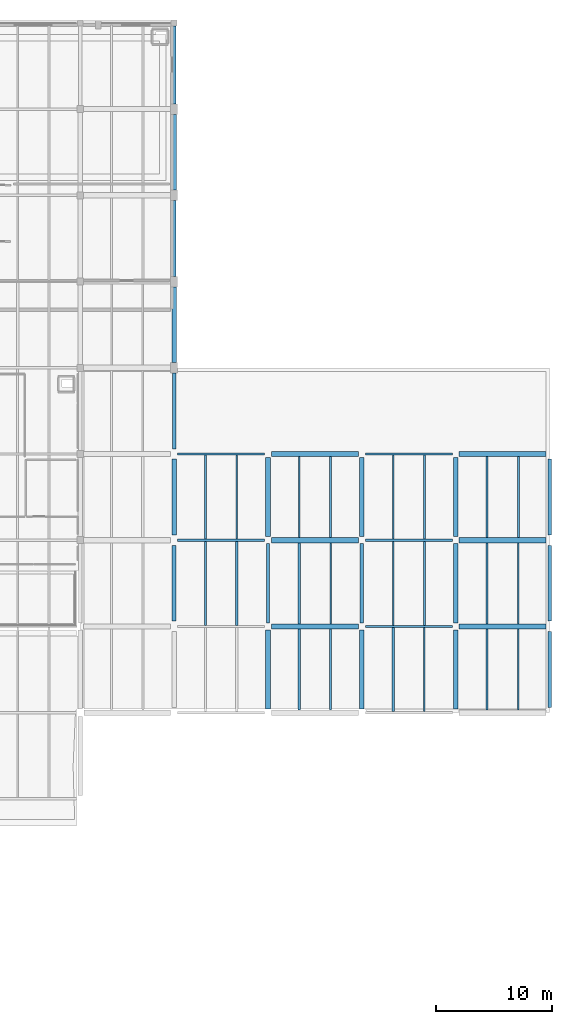
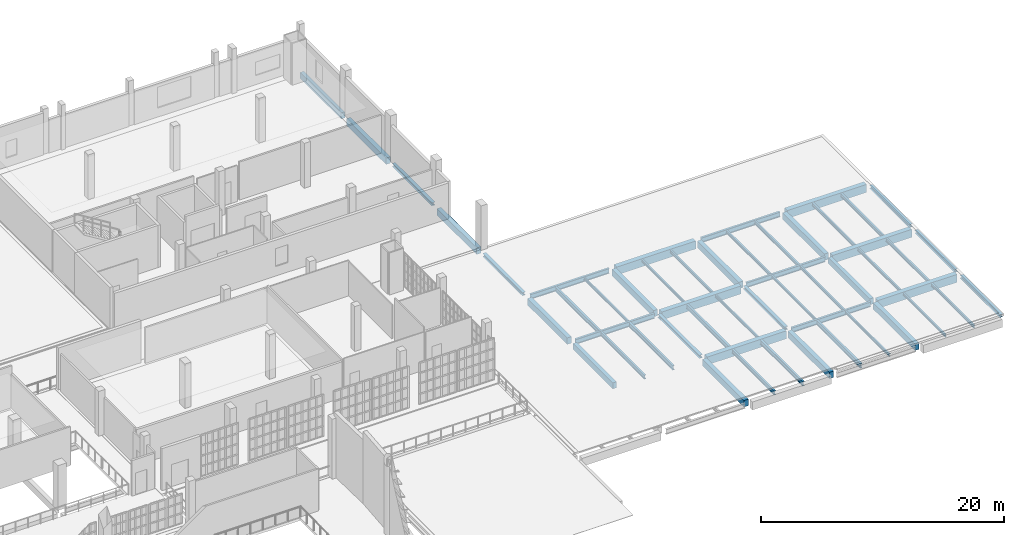
# One storey, part 34 of 73: 52 beams.
"""IFC4 building model written with IfcOpenShell, lengths in metres."""

from ifc_helpers import new_model, si_unit, direction, frame, origin, origin_2d, place, context, subcontext, project, spatial, rectangle, i_section, extrude, material, material_profile, profile_set, type_object, element, save


model = new_model("IFC4")

# Units and contexts
model_context = context("Model", 3, precision=1e-05, world=origin(), true_north=direction((0.0, 1.0)))
body_context = subcontext(model_context, "Body", "Model", "MODEL_VIEW")
ifc_project = project(units=[si_unit("LENGTHUNIT", "METRE"), si_unit("AREAUNIT", "SQUARE_METRE"), si_unit("VOLUMEUNIT", "CUBIC_METRE"), si_unit("PLANEANGLEUNIT", "RADIAN"), si_unit("MASSUNIT", "GRAM", prefix="KILO")], contexts=[model_context])

# Site, building, storey
site_placement = place(None, origin())
site = spatial("IfcSite", under=ifc_project, at=site_placement, CompositionType="ELEMENT")
building_placement = place(site_placement, origin())
building = spatial("IfcBuilding", under=site, at=building_placement, Name="Kaelora Sail Theatre", CompositionType="ELEMENT")
storey_placement = place(building_placement, frame((0.0, 0.0, 10.199951171875)))
storey = spatial("IfcBuildingStorey", under=building, at=storey_placement, Name="L02", CompositionType="ELEMENT", Elevation=10.199951171875)

# Beams
ifc_material_1 = material(Name="Steel S355", Category="steel")
ifc_material_profile_1 = material_profile(ifc_material_1, i_section(OverallWidth=0.300048828125, OverallDepth=0.31005859375, WebThickness=0.009033203125, FlangeThickness=0.015380859375, FilletRadius=0.027099609375, at=origin_2d()), Name="HEA 320")
ifc_profile_set_1 = profile_set([ifc_material_profile_1], Name="Steel S355")
beam_type_1 = type_object("IfcBeamType", Name="STR-BM-BM-HEA320", PredefinedType="BEAM", material=ifc_profile_set_1)
beam_1_placement = place(storey_placement, frame((131.10009765625, 76.35009765625, -0.449951171875), z_axis=(0.0, 1.0, 0.0), x_axis=(-1.0, 0.0, 0.0)))
element("IfcBeam", 1, at=beam_1_placement, inside=storey, type_object=beam_type_1, Name="Primary beam 17 K-L (L02)", PredefinedType="BEAM", context=body_context, shape_type="SweptSolid", body=[
    extrude(i_section(OverallWidth=0.300048828125, OverallDepth=0.31005859375, WebThickness=0.009033203125, FlangeThickness=0.015380859375, FilletRadius=0.027099609375, at=origin_2d()), origin(), (0.0, 0.0, 1.0), 6.539794921875),
])
beam_2_placement = place(storey_placement, frame((131.10009765625, 91.22998046875, -0.449951171875), z_axis=(0.0, 1.0, 0.0), x_axis=(-1.0, 0.0, 0.0)))
element("IfcBeam", 2, at=beam_2_placement, inside=storey, type_object=beam_type_1, Name="Primary beam 17 M-N (L02)", PredefinedType="BEAM", context=body_context, shape_type="SweptSolid", body=[
    extrude(i_section(OverallWidth=0.300048828125, OverallDepth=0.31005859375, WebThickness=0.009033203125, FlangeThickness=0.015380859375, FilletRadius=0.027099609375, at=origin_2d()), origin(), (0.0, 0.0, 1.0), 6.5400390625),
])
for number, where, z_axis, x_axis, name in (
    (3, (139.199951171875, 61.320068359375, -0.449951171875), (0.0, 1.0, 0.0), (-1.0, 0.0, 0.0), "Primary beam 18 I-J (L02)"),
    (4, (147.300048828125, 61.320068359375, -0.449951171875), (0.0, 1.0, 0.0), (-1.0, 0.0, 0.0), "Primary beam 19 I-J (L02)"),
):
    element("IfcBeam", number, at=place(storey_placement, frame(where, z_axis=z_axis, x_axis=x_axis)), inside=storey, type_object=beam_type_1, Name=name, PredefinedType="BEAM", context=body_context, shape_type="SweptSolid", body=[
        extrude(i_section(OverallWidth=0.300048828125, OverallDepth=0.31005859375, WebThickness=0.009033203125, FlangeThickness=0.015380859375, FilletRadius=0.027099609375, at=origin_2d()), origin(), (0.0, 0.0, 1.0), 6.83984375),
    ])
ifc_material_2 = material(Name="Steel S355", Category="steel")
ifc_material_profile_2 = material_profile(ifc_material_2, i_section(OverallWidth=0.18994140625, OverallDepth=0.449951171875, WebThickness=0.009521484375, FlangeThickness=0.0146484375, FilletRadius=0.02099609375, at=origin_2d()), Name="IPE 450")
ifc_profile_set_2 = profile_set([ifc_material_profile_2], Name="Steel S355")
beam_type_2 = type_object("IfcBeamType", Name="STR-BM-BM-IPE450", PredefinedType="BEAM", material=ifc_profile_set_2)
for number, where, z_axis, x_axis, name in (
    (5, (136.5, 61.1201171875, -0.52001953125), (0.0, 1.0, 0.0), (-1.0, 0.0, 0.0), "Secondary floor joist 17/I-2 (L02)"),
    (6, (133.800048828125, 68.56005859375, -0.52001953125), (0.0, 1.0, 0.0), (-1.0, 0.0, 0.0), "Secondary floor joist 17/J-1 (L02)"),
):
    element("IfcBeam", number, at=place(storey_placement, frame(where, z_axis=z_axis, x_axis=x_axis)), inside=storey, type_object=beam_type_2, Name=name, PredefinedType="BEAM", context=body_context, shape_type="SweptSolid", body=[
        extrude(i_section(OverallWidth=0.18994140625, OverallDepth=0.449951171875, WebThickness=0.009521484375, FlangeThickness=0.0146484375, FilletRadius=0.02099609375, at=origin_2d()), origin(), (0.0, 0.0, 1.0), 7.239990234375),
    ])
for number, where, z_axis, x_axis, name in (
    (7, (144.60009765625, 53.804931640625, -0.52001953125), (0.0, 1.0, 0.0), (-1.0, 0.0, 0.0), "Secondary floor joist 18/H-2 (L02)"),
    (8, (141.89990234375, 61.2451171875, -0.52001953125), (0.0, 1.0, 0.0), (-1.0, 0.0, 0.0), "Secondary floor joist 18/I-1 (L02)"),
):
    element("IfcBeam", number, at=place(storey_placement, frame(where, z_axis=z_axis, x_axis=x_axis)), inside=storey, type_object=beam_type_2, Name=name, PredefinedType="BEAM", context=body_context, shape_type="SweptSolid", body=[
        extrude(i_section(OverallWidth=0.18994140625, OverallDepth=0.449951171875, WebThickness=0.009521484375, FlangeThickness=0.0146484375, FilletRadius=0.02099609375, at=origin_2d()), origin(), (0.0, 0.0, 1.0), 6.989990234375),
    ])
beam_3_placement = place(storey_placement, frame((150.0, 53.679931640625, -0.52001953125), z_axis=(0.0, 1.0, 0.0), x_axis=(-1.0, 0.0, 0.0)))
element("IfcBeam", 9, at=beam_3_placement, inside=storey, type_object=beam_type_2, Name="Secondary floor joist 19/H-1 (L02)", PredefinedType="BEAM", context=body_context, shape_type="SweptSolid", body=[
    extrude(i_section(OverallWidth=0.18994140625, OverallDepth=0.449951171875, WebThickness=0.009521484375, FlangeThickness=0.0146484375, FilletRadius=0.02099609375, at=origin_2d()), origin(), (0.0, 0.0, 1.0), 7.239990234375),
])
ifc_material_3 = material(Name="Steel S355", Category="steel")
ifc_material_profile_3 = material_profile(ifc_material_3, i_section(OverallWidth=0.199951171875, OverallDepth=0.5, WebThickness=0.01025390625, FlangeThickness=0.01611328125, FilletRadius=0.02099609375, at=origin_2d()), Name="IPE 500")
ifc_profile_set_3 = profile_set([ifc_material_profile_3], Name="Steel S355")
beam_type_3 = type_object("IfcBeamType", Name="STR-BM-BM-IPE500", PredefinedType="BEAM", material=ifc_profile_set_3)
for number, where, z_axis, x_axis, name in (
    (10, (131.39990234375, 68.4599609375, -0.544921875), (1.0, 0.0, 0.0), (0.0, 1.0, 0.0), "Primary beam J 17-18 (L02)"),
    (11, (131.39990234375, 75.89990234375, -0.544921875), (1.0, 0.0, 0.0), (0.0, 1.0, 0.0), "Primary beam K 17-18 (L02)"),
    (12, (147.60009765625, 61.02001953125, -0.544921875), (1.0, 0.0, 0.0), (0.0, 1.0, 0.0), "Primary beam I 19-20 (L02)"),
    (13, (147.60009765625, 68.4599609375, -0.544921875), (1.0, 0.0, 0.0), (0.0, 1.0, 0.0), "Primary beam J 19-20 (L02)"),
    (14, (147.60009765625, 75.89990234375, -0.544921875), (1.0, 0.0, 0.0), (0.0, 1.0, 0.0), "Primary beam K 19-20 (L02)"),
):
    element("IfcBeam", number, at=place(storey_placement, frame(where, z_axis=z_axis, x_axis=x_axis)), inside=storey, type_object=beam_type_3, Name=name, PredefinedType="BEAM", context=body_context, shape_type="SweptSolid", body=[
        extrude(i_section(OverallWidth=0.199951171875, OverallDepth=0.5, WebThickness=0.01025390625, FlangeThickness=0.01611328125, FilletRadius=0.02099609375, at=origin_2d()), origin(), (0.0, 0.0, 1.0), 7.5),
    ])
ifc_material_4 = material(Name="Concrete C40/50", Category="concrete")
ifc_material_profile_4 = material_profile(ifc_material_4, rectangle(XDim=0.35009765625, YDim=0.60009765625, at=origin_2d()), Name="RC-BM 350x600")
ifc_profile_set_4 = profile_set([ifc_material_profile_4], Name="Concrete C40/50")
beam_type_4 = type_object("IfcBeamType", Name="STR-BM-BM-RC3560", PredefinedType="BEAM", material=ifc_profile_set_4)
beam_4_placement = place(storey_placement, frame((131.10009765625, 61.469970703125, -0.594970703125), z_axis=(0.0, 1.0, 0.0), x_axis=(-1.0, 0.0, 0.0)))
element("IfcBeam", 15, at=beam_4_placement, inside=storey, type_object=beam_type_4, Name="Primary beam 17 I-J (L02)", PredefinedType="BEAM", context=body_context, shape_type="SweptSolid", body=[
    extrude(rectangle(XDim=0.35009765625, YDim=0.60009765625, at=origin_2d()), origin(), (0.0, 0.0, 1.0), 6.5400390625),
])
beam_5_placement = place(storey_placement, frame((131.10009765625, 106.110107421875, -0.594970703125), z_axis=(0.0, 1.0, 0.0), x_axis=(-1.0, 0.0, 0.0)))
element("IfcBeam", 16, at=beam_5_placement, inside=storey, type_object=beam_type_4, Name="Primary beam 17 O-P (L02)", PredefinedType="BEAM", context=body_context, shape_type="SweptSolid", body=[
    extrude(rectangle(XDim=0.35009765625, YDim=0.60009765625, at=origin_2d()), origin(), (0.0, 0.0, 1.0), 6.739990234375),
])
beam_6_placement = place(storey_placement, frame((155.39990234375, 61.320068359375, -0.594970703125), z_axis=(0.0, 1.0, 0.0), x_axis=(-1.0, 0.0, 0.0)))
element("IfcBeam", 17, at=beam_6_placement, inside=storey, type_object=beam_type_4, Name="Primary beam 20 I-J (L02)", PredefinedType="BEAM", context=body_context, shape_type="SweptSolid", body=[
    extrude(rectangle(XDim=0.35009765625, YDim=0.60009765625, at=origin_2d()), origin(), (0.0, 0.0, 1.0), 6.83984375),
])
ifc_material_5 = material(Name="Concrete C40/50", Category="concrete")
ifc_material_profile_5 = material_profile(ifc_material_5, rectangle(XDim=0.39990234375, YDim=0.64990234375, at=origin_2d()), Name="RC-BM 400x650")
ifc_profile_set_5 = profile_set([ifc_material_profile_5], Name="Concrete C40/50")
beam_type_5 = type_object("IfcBeamType", Name="STR-BM-BM-RC4065", PredefinedType="BEAM", material=ifc_profile_set_5)
for number, where, z_axis, x_axis, name in (
    (18, (131.10009765625, 68.909912109375, -0.619873046875), (0.0, 1.0, 0.0), (-1.0, 0.0, 0.0), "Primary beam 17 J-K (L02)"),
    (19, (131.10009765625, 83.7900390625, -0.619873046875), (0.0, 1.0, 0.0), (-1.0, 0.0, 0.0), "Primary beam 17 L-M (L02)"),
    (20, (131.10009765625, 98.669921875, -0.619873046875), (0.0, 1.0, 0.0), (-1.0, 0.0, 0.0), "Primary beam 17 N-O (L02)"),
):
    element("IfcBeam", number, at=place(storey_placement, frame(where, z_axis=z_axis, x_axis=x_axis)), inside=storey, type_object=beam_type_5, Name=name, PredefinedType="BEAM", context=body_context, shape_type="SweptSolid", body=[
        extrude(rectangle(XDim=0.39990234375, YDim=0.64990234375, at=origin_2d()), origin(), (0.0, 0.0, 1.0), 6.5400390625),
    ])
for number, where, z_axis, x_axis, name in (
    (21, (139.199951171875, 53.8798828125, -0.619873046875), (0.0, 1.0, 0.0), (-1.0, 0.0, 0.0), "Primary beam 18 H-I (L02)"),
    (22, (139.199951171875, 68.760009765625, -0.619873046875), (0.0, 1.0, 0.0), (-1.0, 0.0, 0.0), "Primary beam 18 J-K (L02)"),
    (23, (147.300048828125, 53.8798828125, -0.619873046875), (0.0, 1.0, 0.0), (-1.0, 0.0, 0.0), "Primary beam 19 H-I (L02)"),
    (24, (147.300048828125, 68.760009765625, -0.619873046875), (0.0, 1.0, 0.0), (-1.0, 0.0, 0.0), "Primary beam 19 J-K (L02)"),
    (25, (155.39990234375, 53.8798828125, -0.619873046875), (0.0, 1.0, 0.0), (-1.0, 0.0, 0.0), "Primary beam 20 H-I (L02)"),
    (26, (155.39990234375, 68.760009765625, -0.619873046875), (0.0, 1.0, 0.0), (-1.0, 0.0, 0.0), "Primary beam 20 J-K (L02)"),
):
    element("IfcBeam", number, at=place(storey_placement, frame(where, z_axis=z_axis, x_axis=x_axis)), inside=storey, type_object=beam_type_5, Name=name, PredefinedType="BEAM", context=body_context, shape_type="SweptSolid", body=[
        extrude(rectangle(XDim=0.39990234375, YDim=0.64990234375, at=origin_2d()), origin(), (0.0, 0.0, 1.0), 6.840087890625),
    ])
ifc_material_6 = material(Name="Concrete C45/55", Category="concrete")
ifc_material_profile_6 = material_profile(ifc_material_6, rectangle(XDim=0.449951171875, YDim=0.800048828125, at=origin_2d()), Name="RC-BM 450x800")
ifc_profile_set_6 = profile_set([ifc_material_profile_6], Name="Concrete C45/55")
beam_type_6 = type_object("IfcBeamType", Name="STR-BM-BM-RC4580", PredefinedType="BEAM", material=ifc_profile_set_6)
for number, where, z_axis, x_axis, name in (
    (27, (139.5, 61.02001953125, -0.695068359375), (1.0, 0.0, 0.0), (0.0, 1.0, 0.0), "Primary beam I 18-19 (L02)"),
    (28, (139.5, 68.4599609375, -0.695068359375), (1.0, 0.0, 0.0), (0.0, 1.0, 0.0), "Primary beam J 18-19 (L02)"),
    (29, (139.5, 75.89990234375, -0.695068359375), (1.0, 0.0, 0.0), (0.0, 1.0, 0.0), "Primary beam K 18-19 (L02)"),
    (30, (155.699951171875, 61.02001953125, -0.695068359375), (1.0, 0.0, 0.0), (0.0, 1.0, 0.0), "Primary beam I 20-21 (L02)"),
    (31, (155.699951171875, 68.4599609375, -0.695068359375), (1.0, 0.0, 0.0), (0.0, 1.0, 0.0), "Primary beam J 20-21 (L02)"),
    (32, (155.699951171875, 75.89990234375, -0.695068359375), (1.0, 0.0, 0.0), (0.0, 1.0, 0.0), "Primary beam K 20-21 (L02)"),
):
    element("IfcBeam", number, at=place(storey_placement, frame(where, z_axis=z_axis, x_axis=x_axis)), inside=storey, type_object=beam_type_6, Name=name, PredefinedType="BEAM", context=body_context, shape_type="SweptSolid", body=[
        extrude(rectangle(XDim=0.449951171875, YDim=0.800048828125, at=origin_2d()), origin(), (0.0, 0.0, 1.0), 7.5),
    ])
ifc_material_7 = material(Name="Steel S355", Category="steel")
ifc_material_profile_7 = material_profile(ifc_material_7, i_section(OverallWidth=0.135009765625, OverallDepth=0.27001953125, WebThickness=0.006591796875, FlangeThickness=0.01025390625, FilletRadius=0.014892578125, at=origin_2d()), Name="IPE 270")
ifc_profile_set_7 = profile_set([ifc_material_profile_7], Name="Steel S355")
beam_type_7 = type_object("IfcBeamType", Name="STR-BM-JS-IPE270", PredefinedType="JOIST", material=ifc_profile_set_7)
beam_7_placement = place(storey_placement, frame((136.5, 68.56005859375, -0.429931640625), z_axis=(0.0, 1.0, 0.0), x_axis=(-1.0, 0.0, 0.0)))
element("IfcBeam", 33, at=beam_7_placement, inside=storey, type_object=beam_type_7, Name="Secondary floor joist 17/J-2 (L02)", PredefinedType="JOIST", context=body_context, shape_type="SweptSolid", body=[
    extrude(i_section(OverallWidth=0.135009765625, OverallDepth=0.27001953125, WebThickness=0.006591796875, FlangeThickness=0.01025390625, FilletRadius=0.014892578125, at=origin_2d()), origin(), (0.0, 0.0, 1.0), 7.239990234375),
])
for number, where, z_axis, x_axis, name in (
    (34, (144.60009765625, 61.2451171875, -0.429931640625), (0.0, 1.0, 0.0), (-1.0, 0.0, 0.0), "Secondary floor joist 18/I-2 (L02)"),
    (35, (141.89990234375, 68.68505859375, -0.429931640625), (0.0, 1.0, 0.0), (-1.0, 0.0, 0.0), "Secondary floor joist 18/J-1 (L02)"),
):
    element("IfcBeam", number, at=place(storey_placement, frame(where, z_axis=z_axis, x_axis=x_axis)), inside=storey, type_object=beam_type_7, Name=name, PredefinedType="JOIST", context=body_context, shape_type="SweptSolid", body=[
        extrude(i_section(OverallWidth=0.135009765625, OverallDepth=0.27001953125, WebThickness=0.006591796875, FlangeThickness=0.01025390625, FilletRadius=0.014892578125, at=origin_2d()), origin(), (0.0, 0.0, 1.0), 6.989990234375),
    ])
for number, where, z_axis, x_axis, name in (
    (36, (152.699951171875, 53.679931640625, -0.429931640625), (0.0, 1.0, 0.0), (-1.0, 0.0, 0.0), "Secondary floor joist 19/H-2 (L02)"),
    (37, (150.0, 61.1201171875, -0.429931640625), (0.0, 1.0, 0.0), (-1.0, 0.0, 0.0), "Secondary floor joist 19/I-1 (L02)"),
):
    element("IfcBeam", number, at=place(storey_placement, frame(where, z_axis=z_axis, x_axis=x_axis)), inside=storey, type_object=beam_type_7, Name=name, PredefinedType="JOIST", context=body_context, shape_type="SweptSolid", body=[
        extrude(i_section(OverallWidth=0.135009765625, OverallDepth=0.27001953125, WebThickness=0.006591796875, FlangeThickness=0.01025390625, FilletRadius=0.014892578125, at=origin_2d()), origin(), (0.0, 0.0, 1.0), 7.239990234375),
    ])
beam_8_placement = place(storey_placement, frame((158.10009765625, 53.804931640625, -0.429931640625), z_axis=(0.0, 1.0, 0.0), x_axis=(-1.0, 0.0, 0.0)))
element("IfcBeam", 38, at=beam_8_placement, inside=storey, type_object=beam_type_7, Name="Secondary floor joist 20/H-1 (L02)", PredefinedType="JOIST", context=body_context, shape_type="SweptSolid", body=[
    extrude(i_section(OverallWidth=0.135009765625, OverallDepth=0.27001953125, WebThickness=0.006591796875, FlangeThickness=0.01025390625, FilletRadius=0.014892578125, at=origin_2d()), origin(), (0.0, 0.0, 1.0), 6.989990234375),
])
ifc_material_8 = material(Name="Steel S355", Category="steel")
ifc_material_profile_8 = material_profile(ifc_material_8, i_section(OverallWidth=0.14990234375, OverallDepth=0.300048828125, WebThickness=0.007080078125, FlangeThickness=0.0107421875, FilletRadius=0.014892578125, at=origin_2d()), Name="IPE 300")
ifc_profile_set_8 = profile_set([ifc_material_profile_8], Name="Steel S355")
beam_type_8 = type_object("IfcBeamType", Name="STR-BM-JS-IPE300", PredefinedType="JOIST", material=ifc_profile_set_8)
beam_9_placement = place(storey_placement, frame((144.60009765625, 68.68505859375, -0.445068359375), z_axis=(0.0, 1.0, 0.0), x_axis=(-1.0, 0.0, 0.0)))
element("IfcBeam", 39, at=beam_9_placement, inside=storey, type_object=beam_type_8, Name="Secondary floor joist 18/J-2 (L02)", PredefinedType="JOIST", context=body_context, shape_type="SweptSolid", body=[
    extrude(i_section(OverallWidth=0.14990234375, OverallDepth=0.300048828125, WebThickness=0.007080078125, FlangeThickness=0.0107421875, FilletRadius=0.014892578125, at=origin_2d()), origin(), (0.0, 0.0, 1.0), 6.989990234375),
])
for number, where, z_axis, x_axis, name in (
    (40, (152.699951171875, 61.1201171875, -0.445068359375), (0.0, 1.0, 0.0), (-1.0, 0.0, 0.0), "Secondary floor joist 19/I-2 (L02)"),
    (41, (150.0, 68.56005859375, -0.445068359375), (0.0, 1.0, 0.0), (-1.0, 0.0, 0.0), "Secondary floor joist 19/J-1 (L02)"),
):
    element("IfcBeam", number, at=place(storey_placement, frame(where, z_axis=z_axis, x_axis=x_axis)), inside=storey, type_object=beam_type_8, Name=name, PredefinedType="JOIST", context=body_context, shape_type="SweptSolid", body=[
        extrude(i_section(OverallWidth=0.14990234375, OverallDepth=0.300048828125, WebThickness=0.007080078125, FlangeThickness=0.0107421875, FilletRadius=0.014892578125, at=origin_2d()), origin(), (0.0, 0.0, 1.0), 7.239990234375),
    ])
for number, where, z_axis, x_axis, name in (
    (42, (160.800048828125, 53.804931640625, -0.445068359375), (0.0, 1.0, 0.0), (-1.0, 0.0, 0.0), "Secondary floor joist 20/H-2 (L02)"),
    (43, (158.10009765625, 61.2451171875, -0.445068359375), (0.0, 1.0, 0.0), (-1.0, 0.0, 0.0), "Secondary floor joist 20/I-1 (L02)"),
):
    element("IfcBeam", number, at=place(storey_placement, frame(where, z_axis=z_axis, x_axis=x_axis)), inside=storey, type_object=beam_type_8, Name=name, PredefinedType="JOIST", context=body_context, shape_type="SweptSolid", body=[
        extrude(i_section(OverallWidth=0.14990234375, OverallDepth=0.300048828125, WebThickness=0.007080078125, FlangeThickness=0.0107421875, FilletRadius=0.014892578125, at=origin_2d()), origin(), (0.0, 0.0, 1.0), 6.989990234375),
    ])
ifc_material_9 = material(Name="Steel S355", Category="steel")
ifc_material_profile_9 = material_profile(ifc_material_9, i_section(OverallWidth=0.159912109375, OverallDepth=0.330078125, WebThickness=0.007568359375, FlangeThickness=0.011474609375, FilletRadius=0.01806640625, at=origin_2d()), Name="IPE 330")
ifc_profile_set_9 = profile_set([ifc_material_profile_9], Name="Steel S355")
beam_type_9 = type_object("IfcBeamType", Name="STR-BM-JS-IPE330", PredefinedType="JOIST", material=ifc_profile_set_9)
beam_10_placement = place(storey_placement, frame((152.699951171875, 68.56005859375, -0.4599609375), z_axis=(0.0, 1.0, 0.0), x_axis=(-1.0, 0.0, 0.0)))
element("IfcBeam", 44, at=beam_10_placement, inside=storey, type_object=beam_type_9, Name="Secondary floor joist 19/J-2 (L02)", PredefinedType="JOIST", context=body_context, shape_type="SweptSolid", body=[
    extrude(i_section(OverallWidth=0.159912109375, OverallDepth=0.330078125, WebThickness=0.007568359375, FlangeThickness=0.011474609375, FilletRadius=0.01806640625, at=origin_2d()), origin(), (0.0, 0.0, 1.0), 7.239990234375),
])
for number, where, z_axis, x_axis, name in (
    (45, (160.800048828125, 61.2451171875, -0.4599609375), (0.0, 1.0, 0.0), (-1.0, 0.0, 0.0), "Secondary floor joist 20/I-2 (L02)"),
    (46, (158.10009765625, 68.68505859375, -0.4599609375), (0.0, 1.0, 0.0), (-1.0, 0.0, 0.0), "Secondary floor joist 20/J-1 (L02)"),
):
    element("IfcBeam", number, at=place(storey_placement, frame(where, z_axis=z_axis, x_axis=x_axis)), inside=storey, type_object=beam_type_9, Name=name, PredefinedType="JOIST", context=body_context, shape_type="SweptSolid", body=[
        extrude(i_section(OverallWidth=0.159912109375, OverallDepth=0.330078125, WebThickness=0.007568359375, FlangeThickness=0.011474609375, FilletRadius=0.01806640625, at=origin_2d()), origin(), (0.0, 0.0, 1.0), 6.989990234375),
    ])
ifc_material_10 = material(Name="Steel S355", Category="steel")
ifc_material_profile_10 = material_profile(ifc_material_10, i_section(OverallWidth=0.169921875, OverallDepth=0.360107421875, WebThickness=0.008056640625, FlangeThickness=0.0126953125, FilletRadius=0.01806640625, at=origin_2d()), Name="IPE 360")
ifc_profile_set_10 = profile_set([ifc_material_profile_10], Name="Steel S355")
beam_type_10 = type_object("IfcBeamType", Name="STR-BM-JS-IPE360", PredefinedType="JOIST", material=ifc_profile_set_10)
beam_11_placement = place(storey_placement, frame((160.800048828125, 68.68505859375, -0.474853515625), z_axis=(0.0, 1.0, 0.0), x_axis=(-1.0, 0.0, 0.0)))
element("IfcBeam", 47, at=beam_11_placement, inside=storey, type_object=beam_type_10, Name="Secondary floor joist 20/J-2 (L02)", PredefinedType="JOIST", context=body_context, shape_type="SweptSolid", body=[
    extrude(i_section(OverallWidth=0.169921875, OverallDepth=0.360107421875, WebThickness=0.008056640625, FlangeThickness=0.0126953125, FilletRadius=0.01806640625, at=origin_2d()), origin(), (0.0, 0.0, 1.0), 6.989990234375),
])
ifc_material_11 = material(Name="Steel S355", Category="steel")
ifc_material_profile_11 = material_profile(ifc_material_11, i_section(OverallWidth=0.179931640625, OverallDepth=0.39990234375, WebThickness=0.008544921875, FlangeThickness=0.013427734375, FilletRadius=0.02099609375, at=origin_2d()), Name="IPE 400")
ifc_profile_set_11 = profile_set([ifc_material_profile_11], Name="Steel S355")
beam_type_11 = type_object("IfcBeamType", Name="STR-BM-JS-IPE400", PredefinedType="JOIST", material=ifc_profile_set_11)
beam_12_placement = place(storey_placement, frame((133.800048828125, 61.1201171875, -0.494873046875), z_axis=(0.0, 1.0, 0.0), x_axis=(-1.0, 0.0, 0.0)))
element("IfcBeam", 48, at=beam_12_placement, inside=storey, type_object=beam_type_11, Name="Secondary floor joist 17/I-1 (L02)", PredefinedType="JOIST", context=body_context, shape_type="SweptSolid", body=[
    extrude(i_section(OverallWidth=0.179931640625, OverallDepth=0.39990234375, WebThickness=0.008544921875, FlangeThickness=0.013427734375, FilletRadius=0.02099609375, at=origin_2d()), origin(), (0.0, 0.0, 1.0), 7.239990234375),
])
beam_13_placement = place(storey_placement, frame((141.89990234375, 53.804931640625, -0.494873046875), z_axis=(0.0, 1.0, 0.0), x_axis=(-1.0, 0.0, 0.0)))
element("IfcBeam", 49, at=beam_13_placement, inside=storey, type_object=beam_type_11, Name="Secondary floor joist 18/H-1 (L02)", PredefinedType="JOIST", context=body_context, shape_type="SweptSolid", body=[
    extrude(i_section(OverallWidth=0.179931640625, OverallDepth=0.39990234375, WebThickness=0.008544921875, FlangeThickness=0.013427734375, FilletRadius=0.02099609375, at=origin_2d()), origin(), (0.0, 0.0, 1.0), 6.989990234375),
])
ifc_material_12 = material(Name="Steel S355", Category="steel")
ifc_material_profile_12 = material_profile(ifc_material_12, i_section(OverallWidth=0.300048828125, OverallDepth=0.300048828125, WebThickness=0.010986328125, FlangeThickness=0.01904296875, FilletRadius=0.027099609375, at=origin_2d()), Name="HEB 300")
ifc_profile_set_12 = profile_set([ifc_material_profile_12], Name="Steel S355")
beam_type_12 = type_object("IfcBeamType", Name="STR-BM-SP-HEB300", PredefinedType="SPANDREL", material=ifc_profile_set_12)
for number, where, z_axis, x_axis, name in (
    (50, (163.5, 54.030029296875, -0.445068359375), (0.0, 1.0, 0.0), (-1.0, 0.0, 0.0), "Primary beam 21 H-I (L02)"),
    (51, (163.5, 61.469970703125, -0.445068359375), (0.0, 1.0, 0.0), (-1.0, 0.0, 0.0), "Primary beam 21 I-J (L02)"),
    (52, (163.5, 68.909912109375, -0.445068359375), (0.0, 1.0, 0.0), (-1.0, 0.0, 0.0), "Primary beam 21 J-K (L02)"),
):
    element("IfcBeam", number, at=place(storey_placement, frame(where, z_axis=z_axis, x_axis=x_axis)), inside=storey, type_object=beam_type_12, Name=name, PredefinedType="SPANDREL", context=body_context, shape_type="SweptSolid", body=[
        extrude(i_section(OverallWidth=0.300048828125, OverallDepth=0.300048828125, WebThickness=0.010986328125, FlangeThickness=0.01904296875, FilletRadius=0.027099609375, at=origin_2d()), origin(), (0.0, 0.0, 1.0), 6.5400390625),
    ])

save(model, "model.ifc")
